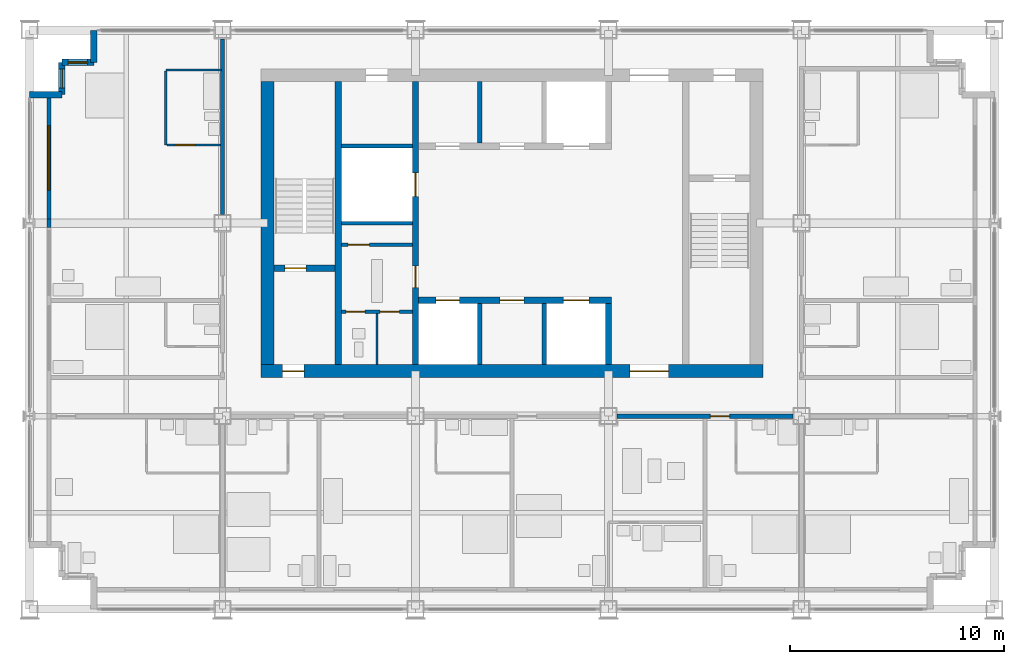
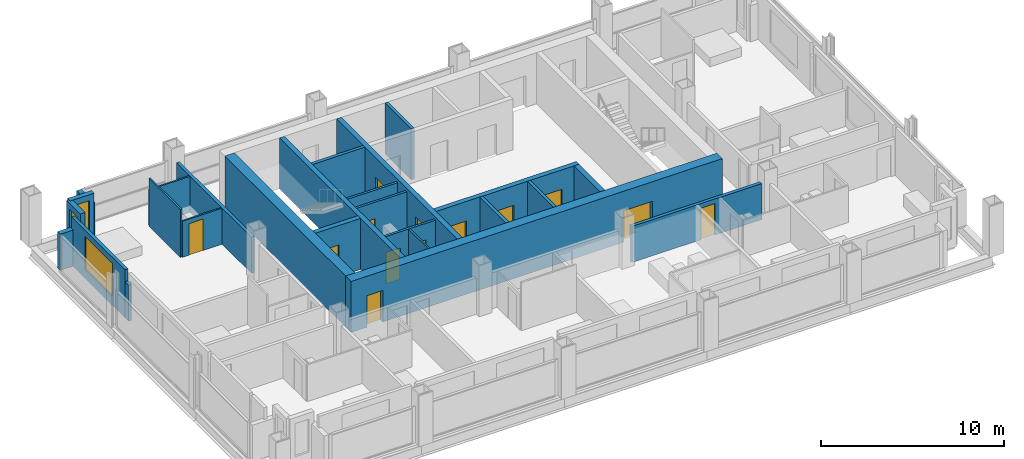
# One storey, part 8 of 13: 26 walls, 13 doors, 3 windows, 16 openings.
"""IFC4 building model written with IfcOpenShell, lengths in metres."""

from ifc_helpers import new_model, si_unit, direction, frame, frame_2d, origin, place, context, subcontext, project, spatial, rectangle, extrude, material, layer, layer_set, type_object, element, fill, save


model = new_model("IFC4")

# Units and contexts
model_context = context("Model", 3, precision=1e-05, world=origin(), true_north=direction((0.0, 1.0)))
body_context = subcontext(model_context, "Body", "Model", "MODEL_VIEW")
ifc_project = project(units=[si_unit("LENGTHUNIT", "METRE"), si_unit("AREAUNIT", "SQUARE_METRE"), si_unit("VOLUMEUNIT", "CUBIC_METRE"), si_unit("PLANEANGLEUNIT", "RADIAN"), si_unit("MASSUNIT", "GRAM", prefix="KILO")], contexts=[model_context])

# Site, building, storey
site_placement = place(None, origin())
site = spatial("IfcSite", under=ifc_project, at=site_placement, CompositionType="ELEMENT")
building_placement = place(site_placement, origin())
building = spatial("IfcBuilding", under=site, at=building_placement, Name="Loomwork Tower", CompositionType="ELEMENT")
storey_placement = place(building_placement, frame((0.0, 0.0, 208.0)))
storey = spatial("IfcBuildingStorey", under=building, at=storey_placement, Name="L57", CompositionType="ELEMENT", Elevation=208.0)

# Wall
ifc_material_1 = material(Name="Concrete 14000 psi (97 MPa)", Category="concrete")
ifc_layer_1 = layer(ifc_material_1, 0.300048828125)
ifc_layer_set_1 = layer_set([ifc_layer_1], Name="Core shear wall 300")
wall_type_1 = type_object("IfcWallType", Name="Core shear wall 300", PredefinedType="SHEAR", material=ifc_layer_set_1)
wall_1_placement = place(storey_placement, frame((14.39990234375, 11.39990234375, 0.0), z_axis=(0.0, 0.0, 1.0), x_axis=(0.0, 1.0, 0.0)))
element("IfcWall", 1, at=wall_1_placement, inside=storey, type_object=wall_type_1, Name="Stair A east wall L57", PredefinedType="SHEAR", context=body_context, shape_type="SweptSolid", body=[
    extrude(rectangle(XDim=13.2001953125, YDim=0.300048828125, at=frame_2d((6.60009765625, 0.0))), origin(), (0.0, 0.0, 1.0), 3.39990234375),
])

# Wall, opening, door
wall_2_placement = place(storey_placement, frame((11.39990234375, 15.89990234375, 0.0), z_axis=(0.0, 0.0, 1.0), x_axis=(1.0, 0.0, 0.0)))
wall_2 = element("IfcWall", 2, at=wall_2_placement, inside=storey, type_object=wall_type_1, Name="Stair A south wall L57", PredefinedType="SHEAR", context=body_context, shape_type="SweptSolid", body=[
    extrude(rectangle(XDim=2.85009765625, YDim=0.300048828125, at=frame_2d((1.425048828125, 0.0))), origin(), (0.0, 0.0, 1.0), 3.39990234375),
])
opening_1_placement = place(wall_2_placement, frame((0.5, 0.0, 0.0)))
opening_1 = element("IfcOpeningElement", 3, at=opening_1_placement, cuts=wall_2, Name="Opening D4", PredefinedType="OPENING", context=body_context, shape_type="SweptSolid", body=[
    extrude(rectangle(XDim=1.0, YDim=2.10009765625, at=frame_2d((0.5, 1.050048828125))), frame((0.0, 0.159912109375, 0.0), z_axis=(0.0, -1.0, 0.0), x_axis=(1.0, 0.0, 0.0)), (0.0, 0.0, 1.0), 0.320068359375),
])
ifc_material_2 = material(Name="Hollow metal door and frame")
door_type_1 = type_object("IfcDoorType", Name="Stair door 1000", OperationType="SINGLE_SWING_RIGHT", PredefinedType="DOOR", material=ifc_material_2)
door_1_placement = place(opening_1_placement, origin())
door_1 = element("IfcDoor", 4, at=door_1_placement, inside=storey, type_object=door_type_1, Name="Stair A door", OperationType="SINGLE_SWING_LEFT", OverallHeight=2.10009765625, OverallWidth=1.0, PredefinedType="DOOR", context=body_context, shape_type="SweptSolid", body=[
    extrude(rectangle(XDim=1.0, YDim=2.10009765625, at=frame_2d((0.5, 1.050048828125))), frame((0.0, 0.02490234375, 0.0), z_axis=(0.0, -1.0, 0.0), x_axis=(1.0, 0.0, 0.0)), (0.0, 0.0, 1.0), 0.050048828125),
])
fill(opening_1, door_1)

# Wall, openings, doors
wall_3_placement = place(storey_placement, frame((18.0, 11.39990234375, 0.0), z_axis=(0.0, 0.0, 1.0), x_axis=(0.0, 1.0, 0.0)))
wall_3 = element("IfcWall", 5, at=wall_3_placement, inside=storey, type_object=wall_type_1, Name="Lobby west wall L57", PredefinedType="SHEAR", context=body_context, shape_type="SweptSolid", body=[
    extrude(rectangle(XDim=13.2001953125, YDim=0.300048828125, at=frame_2d((6.60009765625, 0.0))), origin(), (0.0, 0.0, 1.0), 3.39990234375),
])
opening_2_placement = place(wall_3_placement, frame((3.60009765625, 0.0, 0.0)))
opening_2 = element("IfcOpeningElement", 6, at=opening_2_placement, cuts=wall_3, Name="Opening D5", PredefinedType="OPENING", context=body_context, shape_type="SweptSolid", body=[
    extrude(rectangle(XDim=1.0, YDim=2.10009765625, at=frame_2d((0.5, 1.050048828125))), frame((0.0, 0.159912109375, 0.0), z_axis=(0.0, -1.0, 0.0), x_axis=(1.0, 0.0, 0.0)), (0.0, 0.0, 1.0), 0.320068359375),
])
opening_3_placement = place(wall_3_placement, frame((7.85009765625, 0.0, 0.0)))
opening_3 = element("IfcOpeningElement", 7, at=opening_3_placement, cuts=wall_3, Name="Opening LD1", PredefinedType="OPENING", context=body_context, shape_type="SweptSolid", body=[
    extrude(rectangle(XDim=1.10009765625, YDim=2.10009765625, at=frame_2d((0.550048828125, 1.050048828125))), frame((0.0, 0.159912109375, 0.0), z_axis=(0.0, -1.0, 0.0), x_axis=(1.0, 0.0, 0.0)), (0.0, 0.0, 1.0), 0.320068359375),
])
ifc_material_3 = material(Name="Hollow metal door and frame")
door_type_2 = type_object("IfcDoorType", Name="Lift landing door 1100", OperationType="SLIDING_TO_LEFT", PredefinedType="DOOR", material=ifc_material_3)
door_2_placement = place(opening_3_placement, origin())
door_2 = element("IfcDoor", 8, at=door_2_placement, inside=storey, type_object=door_type_2, Name="Lift landing door LC2", OperationType="SLIDING_TO_LEFT", OverallHeight=2.10009765625, OverallWidth=1.10009765625, PredefinedType="DOOR", context=body_context, shape_type="SweptSolid", body=[
    extrude(rectangle(XDim=1.10009765625, YDim=2.10009765625, at=frame_2d((0.550048828125, 1.050048828125))), frame((0.0, 0.02490234375, 0.0), z_axis=(0.0, -1.0, 0.0), x_axis=(1.0, 0.0, 0.0)), (0.0, 0.0, 1.0), 0.050048828125),
])
fill(opening_3, door_2)
ifc_material_4 = material(Name="Hollow metal door and frame")
door_type_3 = type_object("IfcDoorType", Name="Service door 1000", OperationType="SINGLE_SWING_LEFT", PredefinedType="DOOR", material=ifc_material_4)
door_3_placement = place(opening_2_placement, origin())
door_3 = element("IfcDoor", 9, at=door_3_placement, inside=storey, type_object=door_type_3, Name="Back-of-house door south", OperationType="SINGLE_SWING_LEFT", OverallHeight=2.10009765625, OverallWidth=1.0, PredefinedType="DOOR", context=body_context, shape_type="SweptSolid", body=[
    extrude(rectangle(XDim=1.0, YDim=2.10009765625, at=frame_2d((0.5, 1.050048828125))), frame((0.0, 0.02490234375, 0.0), z_axis=(0.0, -1.0, 0.0), x_axis=(1.0, 0.0, 0.0)), (0.0, 0.0, 1.0), 0.050048828125),
])
fill(opening_2, door_3)

wall_4_placement = place(storey_placement, frame((18.14990234375, 14.39990234375, 0.0), z_axis=(0.0, 0.0, 1.0), x_axis=(1.0, 0.0, 0.0)))
wall_4 = element("IfcWall", 10, at=wall_4_placement, inside=storey, type_object=wall_type_1, Name="Lift front wall south L57", PredefinedType="SHEAR", context=body_context, shape_type="SweptSolid", body=[
    extrude(rectangle(XDim=9.0, YDim=0.300048828125, at=frame_2d((4.5, 0.0))), origin(), (0.0, 0.0, 1.0), 3.39990234375),
])
opening_4_placement = place(wall_4_placement, frame((0.800048828125, 0.0, 0.0)))
opening_4 = element("IfcOpeningElement", 11, at=opening_4_placement, cuts=wall_4, Name="Opening LD1", PredefinedType="OPENING", context=body_context, shape_type="SweptSolid", body=[
    extrude(rectangle(XDim=1.10009765625, YDim=2.10009765625, at=frame_2d((0.550048828125, 1.050048828125))), frame((0.0, 0.159912109375, 0.0), z_axis=(0.0, -1.0, 0.0), x_axis=(1.0, 0.0, 0.0)), (0.0, 0.0, 1.0), 0.320068359375),
])
opening_5_placement = place(wall_4_placement, frame((6.75, 0.0, 0.0)))
opening_5 = element("IfcOpeningElement", 12, at=opening_5_placement, cuts=wall_4, Name="Opening LD2", PredefinedType="OPENING", context=body_context, shape_type="SweptSolid", body=[
    extrude(rectangle(XDim=1.199951171875, YDim=2.10009765625, at=frame_2d((0.60009765625, 1.050048828125))), frame((0.0, 0.159912109375, 0.0), z_axis=(0.0, -1.0, 0.0), x_axis=(1.0, 0.0, 0.0)), (0.0, 0.0, 1.0), 0.320068359375),
])
opening_6_placement = place(wall_4_placement, frame((3.800048828125, 0.0, 0.0)))
opening_6 = element("IfcOpeningElement", 13, at=opening_6_placement, cuts=wall_4, Name="Opening D17", PredefinedType="OPENING", context=body_context, shape_type="SweptSolid", body=[
    extrude(rectangle(XDim=1.10009765625, YDim=2.10009765625, at=frame_2d((0.550048828125, 1.050048828125))), frame((0.0, 0.159912109375, 0.0), z_axis=(0.0, -1.0, 0.0), x_axis=(1.0, 0.0, 0.0)), (0.0, 0.0, 1.0), 0.320068359375),
])
door_4_placement = place(opening_4_placement, origin())
door_4 = element("IfcDoor", 14, at=door_4_placement, inside=storey, type_object=door_type_2, Name="Lift landing door LC1", OperationType="SLIDING_TO_LEFT", OverallHeight=2.10009765625, OverallWidth=1.10009765625, PredefinedType="DOOR", context=body_context, shape_type="SweptSolid", body=[
    extrude(rectangle(XDim=1.10009765625, YDim=2.10009765625, at=frame_2d((0.550048828125, 1.050048828125))), frame((0.0, 0.02490234375, 0.0), z_axis=(0.0, -1.0, 0.0), x_axis=(1.0, 0.0, 0.0)), (0.0, 0.0, 1.0), 0.050048828125),
])
fill(opening_4, door_4)
ifc_material_5 = material(Name="Hollow metal door and frame")
door_type_4 = type_object("IfcDoorType", Name="Lift landing door 1200", OperationType="SLIDING_TO_LEFT", PredefinedType="DOOR", material=ifc_material_5)
door_5_placement = place(opening_5_placement, origin())
door_5 = element("IfcDoor", 15, at=door_5_placement, inside=storey, type_object=door_type_4, Name="Lift landing door LF1", OperationType="SLIDING_TO_LEFT", OverallHeight=2.10009765625, OverallWidth=1.199951171875, PredefinedType="DOOR", context=body_context, shape_type="SweptSolid", body=[
    extrude(rectangle(XDim=1.199951171875, YDim=2.10009765625, at=frame_2d((0.60009765625, 1.050048828125))), frame((0.0, 0.02490234375, 0.0), z_axis=(0.0, -1.0, 0.0), x_axis=(1.0, 0.0, 0.0)), (0.0, 0.0, 1.0), 0.050048828125),
])
fill(opening_5, door_5)
ifc_material_6 = material(Name="Hollow metal door and frame")
door_type_5 = type_object("IfcDoorType", Name="Service room door 1100", OperationType="SINGLE_SWING_LEFT", PredefinedType="DOOR", material=ifc_material_6)
door_6_placement = place(opening_6_placement, frame((1.10009765625, 0.0, 0.0), z_axis=(0.0, 0.0, 1.0), x_axis=(-1.0, 0.0, 0.0)))
door_6 = element("IfcDoor", 16, at=door_6_placement, inside=storey, type_object=door_type_5, Name="Storage room door L57", OperationType="SINGLE_SWING_RIGHT", OverallHeight=2.10009765625, OverallWidth=1.10009765625, PredefinedType="DOOR", context=body_context, shape_type="SweptSolid", body=[
    extrude(rectangle(XDim=1.10009765625, YDim=2.10009765625, at=frame_2d((0.550048828125, 1.050048828125))), frame((0.0, 0.02490234375, 0.0), z_axis=(0.0, -1.0, 0.0), x_axis=(1.0, 0.0, 0.0)), (0.0, 0.0, 1.0), 0.050048828125),
])
fill(opening_6, door_6)

# Wall
wall_5_placement = place(storey_placement, frame((27.0, 11.39990234375, 0.0), z_axis=(0.0, 0.0, 1.0), x_axis=(0.0, 1.0, 0.0)))
element("IfcWall", 17, at=wall_5_placement, inside=storey, type_object=wall_type_1, Name="Lift shaft end wall south L57", PredefinedType="SHEAR", context=body_context, shape_type="SweptSolid", body=[
    extrude(rectangle(XDim=2.85009765625, YDim=0.300048828125, at=frame_2d((1.425048828125, 0.0))), origin(), (0.0, 0.0, 1.0), 3.39990234375),
])

# Wall, openings, doors
ifc_material_7 = material(Name="Concrete 14000 psi (97 MPa)", Category="concrete")
ifc_layer_2 = layer(ifc_material_7, 0.60009765625)
ifc_layer_set_2 = layer_set([ifc_layer_2], Name="Core shear wall 600")
wall_type_2 = type_object("IfcWallType", Name="Core shear wall 600", PredefinedType="SHEAR", material=ifc_layer_set_2)
wall_6_placement = place(storey_placement, frame((10.800048828125, 11.10009765625, 0.0), z_axis=(0.0, 0.0, 1.0), x_axis=(1.0, 0.0, 0.0)))
wall_6 = element("IfcWall", 18, at=wall_6_placement, inside=storey, type_object=wall_type_2, Name="Core wall south L57", PredefinedType="SHEAR", context=body_context, shape_type="SweptSolid", body=[
    extrude(rectangle(XDim=23.39990234375, YDim=0.60009765625, at=frame_2d((11.699951171875, 0.0))), origin(), (0.0, 0.0, 1.0), 3.39990234375),
])
opening_7_placement = place(wall_6_placement, frame((1.0, 0.0, 0.0)))
opening_7 = element("IfcOpeningElement", 19, at=opening_7_placement, cuts=wall_6, Name="Opening D4", PredefinedType="OPENING", context=body_context, shape_type="SweptSolid", body=[
    extrude(rectangle(XDim=1.0, YDim=2.10009765625, at=frame_2d((0.5, 1.050048828125))), frame((0.0, 0.31005859375, 0.0), z_axis=(0.0, -1.0, 0.0), x_axis=(1.0, 0.0, 0.0)), (0.0, 0.0, 1.0), 0.6201171875),
])
opening_8_placement = place(wall_6_placement, frame((17.199951171875, 0.0, 0.0)))
opening_8 = element("IfcOpeningElement", 20, at=opening_8_placement, cuts=wall_6, Name="Opening D6", PredefinedType="OPENING", context=body_context, shape_type="SweptSolid", body=[
    extrude(rectangle(XDim=1.800048828125, YDim=2.10009765625, at=frame_2d((0.89990234375, 1.050048828125))), frame((0.0, 0.31005859375, 0.0), z_axis=(0.0, -1.0, 0.0), x_axis=(1.0, 0.0, 0.0)), (0.0, 0.0, 1.0), 0.6201171875),
])
ifc_material_8 = material(Name="Hollow metal door and frame")
door_type_6 = type_object("IfcDoorType", Name="Lobby passage double door 1800", OperationType="DOUBLE_DOOR_SINGLE_SWING", PredefinedType="DOOR", material=ifc_material_8)
door_7_placement = place(opening_8_placement, origin())
door_7 = element("IfcDoor", 21, at=door_7_placement, inside=storey, type_object=door_type_6, Name="Lobby passage door south", OperationType="DOUBLE_DOOR_SINGLE_SWING", OverallHeight=2.10009765625, OverallWidth=1.800048828125, PredefinedType="DOOR", context=body_context, shape_type="SweptSolid", body=[
    extrude(rectangle(XDim=1.800048828125, YDim=2.10009765625, at=frame_2d((0.89990234375, 1.050048828125))), frame((0.0, 0.02490234375, 0.0), z_axis=(0.0, -1.0, 0.0), x_axis=(1.0, 0.0, 0.0)), (0.0, 0.0, 1.0), 0.050048828125),
])
fill(opening_8, door_7)
door_8_placement = place(opening_7_placement, origin())
door_8 = element("IfcDoor", 22, at=door_8_placement, inside=storey, type_object=door_type_1, Name="Stair A vestibule door", OperationType="SINGLE_SWING_LEFT", OverallHeight=2.10009765625, OverallWidth=1.0, PredefinedType="DOOR", context=body_context, shape_type="SweptSolid", body=[
    extrude(rectangle(XDim=1.0, YDim=2.10009765625, at=frame_2d((0.5, 1.050048828125))), frame((0.0, 0.02490234375, 0.0), z_axis=(0.0, -1.0, 0.0), x_axis=(1.0, 0.0, 0.0)), (0.0, 0.0, 1.0), 0.050048828125),
])
fill(opening_7, door_8)

# Wall
wall_7_placement = place(storey_placement, frame((11.10009765625, 11.39990234375, 0.0), z_axis=(0.0, 0.0, 1.0), x_axis=(0.0, 1.0, 0.0)))
element("IfcWall", 23, at=wall_7_placement, inside=storey, type_object=wall_type_2, Name="Core wall west L57", PredefinedType="SHEAR", context=body_context, shape_type="SweptSolid", body=[
    extrude(rectangle(XDim=13.2001953125, YDim=0.60009765625, at=frame_2d((6.60009765625, 0.0))), origin(), (0.0, 0.0, 1.0), 3.39990234375),
])

# Wall, opening, door
ifc_material_9 = material(Name="Gypsum board on steel studs, one-hour", Category="steel")
ifc_layer_3 = layer(ifc_material_9, 0.199951171875)
ifc_layer_set_3 = layer_set([ifc_layer_3], Name="Corridor wall 200")
wall_type_3 = type_object("IfcWallType", Name="Corridor wall 200", PredefinedType="PARTITIONING", material=ifc_layer_set_3)
wall_8_placement = place(storey_placement, frame((27.39990234375, 9.0, 0.0), z_axis=(0.0, 0.0, 1.0), x_axis=(1.0, 0.0, 0.0)))
wall_8 = element("IfcWall", 24, at=wall_8_placement, inside=storey, type_object=wall_type_3, Name="South corridor wall 4", PredefinedType="PARTITIONING", context=body_context, shape_type="SweptSolid", body=[
    extrude(rectangle(XDim=8.2001953125, YDim=0.199951171875, at=frame_2d((4.10009765625, 0.0))), origin(), (0.0, 0.0, 1.0), 2.405029296875),
])
opening_9_placement = place(wall_8_placement, frame((4.35009765625, 0.0, 0.0)))
opening_9 = element("IfcOpeningElement", 25, at=opening_9_placement, cuts=wall_8, Name="Opening D1", PredefinedType="OPENING", context=body_context, shape_type="SweptSolid", body=[
    extrude(rectangle(XDim=0.89990234375, YDim=2.10009765625, at=frame_2d((0.449951171875, 1.050048828125))), frame((0.0, 0.10986328125, 0.0), z_axis=(0.0, -1.0, 0.0), x_axis=(1.0, 0.0, 0.0)), (0.0, 0.0, 1.0), 0.219970703125),
])
ifc_material_10 = material(Name="Hollow metal door and frame")
door_type_7 = type_object("IfcDoorType", Name="Guest room entry door 900", OperationType="SINGLE_SWING_LEFT", PredefinedType="DOOR", material=ifc_material_10)
door_9_placement = place(opening_9_placement, frame((0.89990234375, 0.0, 0.0), z_axis=(0.0, 0.0, 1.0), x_axis=(-1.0, 0.0, 0.0)))
door_9 = element("IfcDoor", 26, at=door_9_placement, inside=storey, type_object=door_type_7, Name="Guest room entry door L57 5", OperationType="SINGLE_SWING_RIGHT", OverallHeight=2.10009765625, OverallWidth=0.89990234375, PredefinedType="DOOR", context=body_context, shape_type="SweptSolid", body=[
    extrude(rectangle(XDim=0.89990234375, YDim=2.10009765625, at=frame_2d((0.449951171875, 1.050048828125))), frame((0.0, 0.02490234375, 0.0), z_axis=(0.0, -1.0, 0.0), x_axis=(1.0, 0.0, 0.0)), (0.0, 0.0, 1.0), 0.050048828125),
])
fill(opening_9, door_9)

# Walls
wall_9_placement = place(storey_placement, frame((9.0, 18.39990234375, 0.0), z_axis=(0.0, 0.0, 1.0), x_axis=(0.0, 1.0, 0.0)))
element("IfcWall", 27, at=wall_9_placement, inside=storey, type_object=wall_type_3, Name="West corridor wall 2", PredefinedType="PARTITIONING", context=body_context, shape_type="SweptSolid", body=[
    extrude(rectangle(XDim=8.2001953125, YDim=0.199951171875, at=frame_2d((4.10009765625, 0.0))), origin(), (0.0, 0.0, 1.0), 2.405029296875),
])
ifc_material_11 = material(Name="Cement board on steel studs", Category="steel")
ifc_layer_4 = layer(ifc_material_11, 0.10009765625)
ifc_layer_set_4 = layer_set([ifc_layer_4], Name="En-suite partition 100")
wall_type_4 = type_object("IfcWallType", Name="En-suite partition 100", PredefinedType="PARTITIONING", material=ifc_layer_set_4)
wall_10_placement = place(storey_placement, frame((6.35009765625, 21.64990234375, 0.0), z_axis=(0.0, 0.0, 1.0), x_axis=(0.0, 1.0, 0.0)))
element("IfcWall", 28, at=wall_10_placement, inside=storey, type_object=wall_type_4, Name="En-suite wall L57 room 8", PredefinedType="PARTITIONING", context=body_context, shape_type="SweptSolid", body=[
    extrude(rectangle(XDim=3.4501953125, YDim=0.10009765625, at=frame_2d((1.72509765625, 0.0))), origin(), (0.0, 0.0, 1.0), 3.199951171875),
])

# Wall, opening, door
wall_11_placement = place(storey_placement, frame((8.89990234375, 21.64990234375, 0.0), z_axis=(0.0, 0.0, 1.0), x_axis=(-1.0, 0.0, 0.0)))
wall_11 = element("IfcWall", 29, at=wall_11_placement, inside=storey, type_object=wall_type_4, Name="En-suite side wall L57 room 8", PredefinedType="PARTITIONING", context=body_context, shape_type="SweptSolid", body=[
    extrude(rectangle(XDim=2.5, YDim=0.10009765625, at=frame_2d((1.25, 0.0))), origin(), (0.0, 0.0, 1.0), 2.404052734375),
])
opening_10_placement = place(wall_11_placement, frame((1.199951171875, 0.0, 0.0)))
opening_10 = element("IfcOpeningElement", 30, at=opening_10_placement, cuts=wall_11, Name="Opening D2", PredefinedType="OPENING", context=body_context, shape_type="SweptSolid", body=[
    extrude(rectangle(XDim=0.89990234375, YDim=2.10009765625, at=frame_2d((0.449951171875, 1.050048828125))), frame((0.0, 0.06005859375, 0.0), z_axis=(0.0, -1.0, 0.0), x_axis=(1.0, 0.0, 0.0)), (0.0, 0.0, 1.0), 0.1201171875),
])
ifc_material_12 = material(Name="Hollow metal door and frame")
door_type_8 = type_object("IfcDoorType", Name="En-suite door 900", OperationType="SINGLE_SWING_LEFT", PredefinedType="DOOR", material=ifc_material_12)
door_10_placement = place(opening_10_placement, frame((0.89990234375, 0.0, 0.0), z_axis=(0.0, 0.0, 1.0), x_axis=(-1.0, 0.0, 0.0)))
door_10 = element("IfcDoor", 31, at=door_10_placement, inside=storey, type_object=door_type_8, Name="En-suite door room 8", OperationType="SINGLE_SWING_LEFT", OverallHeight=2.10009765625, OverallWidth=0.89990234375, PredefinedType="DOOR", context=body_context, shape_type="SweptSolid", body=[
    extrude(rectangle(XDim=0.89990234375, YDim=2.10009765625, at=frame_2d((0.449951171875, 1.050048828125))), frame((0.0, 0.02490234375, 0.0), z_axis=(0.0, -1.0, 0.0), x_axis=(1.0, 0.0, 0.0)), (0.0, 0.0, 1.0), 0.050048828125),
])
fill(opening_10, door_10)

# Walls
wall_12_placement = place(storey_placement, frame((6.35009765625, 25.14990234375, 0.0), z_axis=(0.0, 0.0, 1.0), x_axis=(1.0, 0.0, 0.0)))
element("IfcWall", 32, at=wall_12_placement, inside=storey, type_object=wall_type_4, Name="En-suite wall L57 stub", PredefinedType="PARTITIONING", context=body_context, shape_type="SweptSolid", body=[
    extrude(rectangle(XDim=2.599853515625, YDim=0.10009765625, at=frame_2d((1.2998046875, 0.0))), origin(), (0.0, 0.0, 1.0), 2.404052734375),
])
wall_13_placement = place(storey_placement, frame((16.199951171875, 11.39990234375, 0.0), z_axis=(0.0, 0.0, 1.0), x_axis=(0.0, 1.0, 0.0)))
element("IfcWall", 33, at=wall_13_placement, inside=storey, type_object=wall_type_4, Name="Back-of-house partition L57 2", PredefinedType="PARTITIONING", context=body_context, shape_type="SweptSolid", body=[
    extrude(rectangle(XDim=2.400146484375, YDim=0.10009765625, at=frame_2d((1.2001953125, 0.0))), origin(), (0.0, 0.0, 1.0), 3.199951171875),
])
ifc_material_13 = material(Name="Insulated steel stud wall with gypsum lining", Category="steel")
ifc_layer_5 = layer(ifc_material_13, 0.199951171875)
ifc_layer_set_5 = layer_set([ifc_layer_5], Name="Inner skin wall 200")
wall_type_5 = type_object("IfcWallType", Name="Inner skin wall 200", PredefinedType="SOLIDWALL", material=ifc_layer_set_5)
wall_14_placement = place(storey_placement, frame((0.89990234375, 17.80615234375, 0.0), z_axis=(0.0, 0.0, 1.0), x_axis=(0.0, 1.0, 0.0)))
element("IfcWall", 34, at=wall_14_placement, inside=storey, type_object=wall_type_5, Name="Inner skin wall W bay 6", PredefinedType="SOLIDWALL", context=body_context, shape_type="SweptSolid", body=[
    extrude(rectangle(XDim=0.3876953125, YDim=0.199951171875, at=frame_2d((0.19384765625, 0.0))), origin(), (0.0, 0.0, 1.0), 2.404052734375),
])

# Wall, opening, window
wall_15_placement = place(storey_placement, frame((0.89990234375, 18.19384765625, 0.0), z_axis=(0.0, 0.0, 1.0), x_axis=(0.0, 1.0, 0.0)))
wall_15 = element("IfcWall", 35, at=wall_15_placement, inside=storey, type_object=wall_type_5, Name="Inner skin wall W bay 7", PredefinedType="SOLIDWALL", context=body_context, shape_type="SweptSolid", body=[
    extrude(rectangle(XDim=5.80615234375, YDim=0.199951171875, at=frame_2d((2.903076171875, 0.0))), origin(), (0.0, 0.0, 1.0), 3.199951171875),
])
opening_11_placement = place(wall_15_placement, frame((1.356201171875, 0.0, 0.60009765625)))
opening_11 = element("IfcOpeningElement", 36, at=opening_11_placement, cuts=wall_15, Name="Opening CH1", PredefinedType="OPENING", context=body_context, shape_type="SweptSolid", body=[
    extrude(rectangle(XDim=3.0, YDim=2.199951171875, at=frame_2d((1.5, 1.10009765625))), frame((0.0, 0.10986328125, 0.0), z_axis=(0.0, -1.0, 0.0), x_axis=(1.0, 0.0, 0.0)), (0.0, 0.0, 1.0), 0.219970703125),
])
ifc_material_14 = material(Name="Aluminium frame with clear insulated glass", Category="aluminium")
window_type_1 = type_object("IfcWindowType", Name="Chicago window 3000", PartitioningType="TRIPLE_PANEL_VERTICAL", PredefinedType="WINDOW", material=ifc_material_14)
window_1_placement = place(opening_11_placement, origin())
window_1 = element("IfcWindow", 37, at=window_1_placement, inside=storey, type_object=window_type_1, Name="Chicago window L57 bay 7", OverallHeight=2.199951171875, OverallWidth=3.0, PartitioningType="TRIPLE_PANEL_VERTICAL", PredefinedType="WINDOW", context=body_context, shape_type="SweptSolid", body=[
    extrude(rectangle(XDim=3.0, YDim=2.199951171875, at=frame_2d((1.5, 1.10009765625))), frame((0.0, 0.030029296875, 0.0), z_axis=(0.0, -1.0, 0.0), x_axis=(1.0, 0.0, 0.0)), (0.0, 0.0, 1.0), 0.06005859375),
])
fill(opening_11, window_1)

# Walls
ifc_material_15 = material(Name="Concrete 14000 psi (97 MPa)", Category="concrete")
ifc_layer_6 = layer(ifc_material_15, 0.199951171875)
ifc_layer_set_6 = layer_set([ifc_layer_6], Name="Lift shaft wall 200")
wall_type_6 = type_object("IfcWallType", Name="Lift shaft wall 200", PredefinedType="SHEAR", material=ifc_layer_set_6)
for number, where, z_axis, x_axis, name in (
    (38, (21.0, 11.39990234375, 0.0), (0.0, 0.0, 1.0), (0.0, 1.0, 0.0), "Lift shaft separation wall south 1 L57"),
    (39, (24.0, 11.39990234375, 0.0), (0.0, 0.0, 1.0), (0.0, 1.0, 0.0), "Lift shaft separation wall south 2 L57"),
    (40, (21.0, 21.75, 0.0), (0.0, 0.0, 1.0), (0.0, 1.0, 0.0), "Lift shaft separation wall north 1 L57"),
):
    element("IfcWall", number, at=place(storey_placement, frame(where, z_axis=z_axis, x_axis=x_axis)), inside=storey, type_object=wall_type_6, Name=name, PredefinedType="SHEAR", context=body_context, shape_type="SweptSolid", body=[
        extrude(rectangle(XDim=2.85009765625, YDim=0.199951171875, at=frame_2d((1.425048828125, 0.0))), origin(), (0.0, 0.0, 1.0), 3.39990234375),
    ])
wall_16_placement = place(storey_placement, frame((14.550048828125, 21.60009765625, 0.0), z_axis=(0.0, 0.0, 1.0), x_axis=(1.0, 0.0, 0.0)))
element("IfcWall", 41, at=wall_16_placement, inside=storey, type_object=wall_type_6, Name="Lift shaft wall west north L57", PredefinedType="SHEAR", context=body_context, shape_type="SweptSolid", body=[
    extrude(rectangle(XDim=3.300048828125, YDim=0.199951171875, at=frame_2d((1.64990234375, 0.0))), origin(), (0.0, 0.0, 1.0), 3.39990234375),
])
ifc_material_16 = material(Name="Limestone on concrete masonry", Category="masonry")
ifc_layer_7 = layer(ifc_material_16, 0.300048828125)
ifc_layer_set_7 = layer_set([ifc_layer_7], Name="Limestone corner wall 300")
wall_type_7 = type_object("IfcWallType", Name="Limestone corner wall 300", PredefinedType="SOLIDWALL", material=ifc_layer_set_7)
wall_17_placement = place(storey_placement, frame((3.0, 27.0, 0.0), z_axis=(0.0, 0.0, 1.0), x_axis=(0.0, -1.0, 0.0)))
element("IfcWall", 42, at=wall_17_placement, inside=storey, type_object=wall_type_7, Name="Stone corner wall NW 1", PredefinedType="SOLIDWALL", context=body_context, shape_type="SweptSolid", body=[
    extrude(rectangle(XDim=1.5, YDim=0.300048828125, at=frame_2d((0.75, 0.0))), origin(), (0.0, 0.0, 1.0), 2.419921875),
])

# Wall, opening, window
wall_18_placement = place(storey_placement, frame((3.0, 25.5, 0.0), z_axis=(0.0, 0.0, 1.0), x_axis=(-1.0, 0.0, 0.0)))
wall_18 = element("IfcWall", 43, at=wall_18_placement, inside=storey, type_object=wall_type_7, Name="Stone corner wall NW 2", PredefinedType="SOLIDWALL", context=body_context, shape_type="SweptSolid", body=[
    extrude(rectangle(XDim=1.5, YDim=0.300048828125, at=frame_2d((0.75, 0.0))), origin(), (0.0, 0.0, 1.0), 3.199951171875),
])
opening_12_placement = place(wall_18_placement, frame((0.300048828125, 0.0, 0.60009765625)))
opening_12 = element("IfcOpeningElement", 44, at=opening_12_placement, cuts=wall_18, Name="Opening CH2", PredefinedType="OPENING", context=body_context, shape_type="SweptSolid", body=[
    extrude(rectangle(XDim=0.89990234375, YDim=2.199951171875, at=frame_2d((0.449951171875, 1.10009765625))), frame((0.0, 0.159912109375, 0.0), z_axis=(0.0, -1.0, 0.0), x_axis=(1.0, 0.0, 0.0)), (0.0, 0.0, 1.0), 0.320068359375),
])
ifc_material_17 = material(Name="Aluminium frame with clear insulated glass", Category="aluminium")
window_type_2 = type_object("IfcWindowType", Name="Corner window 900", PartitioningType="SINGLE_PANEL", PredefinedType="WINDOW", material=ifc_material_17)
window_2_placement = place(opening_12_placement, origin())
window_2 = element("IfcWindow", 45, at=window_2_placement, inside=storey, type_object=window_type_2, Name="Corner window NW", OverallHeight=2.199951171875, OverallWidth=0.89990234375, PartitioningType="SINGLE_PANEL", PredefinedType="WINDOW", context=body_context, shape_type="SweptSolid", body=[
    extrude(rectangle(XDim=0.89990234375, YDim=2.199951171875, at=frame_2d((0.449951171875, 1.10009765625))), frame((0.0, 0.030029296875, 0.0), z_axis=(0.0, -1.0, 0.0), x_axis=(1.0, 0.0, 0.0)), (0.0, 0.0, 1.0), 0.06005859375),
])
fill(opening_12, window_2)

wall_19_placement = place(storey_placement, frame((1.5, 25.5, 0.0), z_axis=(0.0, 0.0, 1.0), x_axis=(0.0, -1.0, 0.0)))
wall_19 = element("IfcWall", 46, at=wall_19_placement, inside=storey, type_object=wall_type_7, Name="Stone corner wall NW 3", PredefinedType="SOLIDWALL", context=body_context, shape_type="SweptSolid", body=[
    extrude(rectangle(XDim=1.5, YDim=0.300048828125, at=frame_2d((0.75, 0.0))), origin(), (0.0, 0.0, 1.0), 3.199951171875),
])
opening_13_placement = place(wall_19_placement, frame((0.300048828125, 0.0, 0.60009765625)))
opening_13 = element("IfcOpeningElement", 47, at=opening_13_placement, cuts=wall_19, Name="Opening CH2", PredefinedType="OPENING", context=body_context, shape_type="SweptSolid", body=[
    extrude(rectangle(XDim=0.89990234375, YDim=2.199951171875, at=frame_2d((0.449951171875, 1.10009765625))), frame((0.0, 0.159912109375, 0.0), z_axis=(0.0, -1.0, 0.0), x_axis=(1.0, 0.0, 0.0)), (0.0, 0.0, 1.0), 0.320068359375),
])
window_3_placement = place(opening_13_placement, origin())
window_3 = element("IfcWindow", 48, at=window_3_placement, inside=storey, type_object=window_type_2, Name="Corner window NW", OverallHeight=2.199951171875, OverallWidth=0.89990234375, PartitioningType="SINGLE_PANEL", PredefinedType="WINDOW", context=body_context, shape_type="SweptSolid", body=[
    extrude(rectangle(XDim=0.89990234375, YDim=2.199951171875, at=frame_2d((0.449951171875, 1.10009765625))), frame((0.0, 0.030029296875, 0.0), z_axis=(0.0, -1.0, 0.0), x_axis=(1.0, 0.0, 0.0)), (0.0, 0.0, 1.0), 0.06005859375),
])
fill(opening_13, window_3)

# Walls
wall_20_placement = place(storey_placement, frame((1.5, 24.0, 0.0), z_axis=(0.0, 0.0, 1.0), x_axis=(-1.0, 0.0, 0.0)))
element("IfcWall", 49, at=wall_20_placement, inside=storey, type_object=wall_type_7, Name="Stone corner wall NW 4", PredefinedType="SOLIDWALL", context=body_context, shape_type="SweptSolid", body=[
    extrude(rectangle(XDim=1.5, YDim=0.300048828125, at=frame_2d((0.75, 0.0))), origin(), (0.0, 0.0, 1.0), 2.419921875),
])
ifc_material_18 = material(Name="Gypsum board on steel studs", Category="steel")
ifc_layer_8 = layer(ifc_material_18, 0.14990234375)
ifc_layer_set_8 = layer_set([ifc_layer_8], Name="Partition 150 two-hour")
wall_type_8 = type_object("IfcWallType", Name="Partition 150 two-hour", PredefinedType="PARTITIONING", material=ifc_layer_set_8)
wall_21_placement = place(storey_placement, frame((14.550048828125, 18.0, 0.0), z_axis=(0.0, 0.0, 1.0), x_axis=(1.0, 0.0, 0.0)))
element("IfcWall", 50, at=wall_21_placement, inside=storey, type_object=wall_type_8, Name="Back-of-house dividing wall L57", PredefinedType="PARTITIONING", context=body_context, shape_type="SweptSolid", body=[
    extrude(rectangle(XDim=3.300048828125, YDim=0.14990234375, at=frame_2d((1.64990234375, 0.0))), origin(), (0.0, 0.0, 1.0), 3.199951171875),
])

# Wall, opening, door
ifc_material_19 = material(Name="Gypsum board on steel studs, one-hour", Category="steel")
ifc_layer_9 = layer(ifc_material_19, 0.14990234375)
ifc_layer_set_9 = layer_set([ifc_layer_9], Name="Service partition 150")
wall_type_9 = type_object("IfcWallType", Name="Service partition 150", PredefinedType="PARTITIONING", material=ifc_layer_set_9)
wall_22_placement = place(storey_placement, frame((14.550048828125, 17.0, 0.0), z_axis=(0.0, 0.0, 1.0), x_axis=(1.0, 0.0, 0.0)))
wall_22 = element("IfcWall", 51, at=wall_22_placement, inside=storey, type_object=wall_type_9, Name="Riser enclosure L57", PredefinedType="PARTITIONING", context=body_context, shape_type="SweptSolid", body=[
    extrude(rectangle(XDim=3.300048828125, YDim=0.14990234375, at=frame_2d((1.64990234375, 0.0))), origin(), (0.0, 0.0, 1.0), 3.199951171875),
])
opening_14_placement = place(wall_22_placement, frame((0.300048828125, 0.0, 0.0)))
opening_14 = element("IfcOpeningElement", 52, at=opening_14_placement, cuts=wall_22, Name="Opening D18", PredefinedType="OPENING", context=body_context, shape_type="SweptSolid", body=[
    extrude(rectangle(XDim=1.0, YDim=2.10009765625, at=frame_2d((0.5, 1.050048828125))), frame((0.0, 0.0849609375, 0.0), z_axis=(0.0, -1.0, 0.0), x_axis=(1.0, 0.0, 0.0)), (0.0, 0.0, 1.0), 0.169921875),
])
ifc_material_20 = material(Name="Hollow metal door and frame")
door_type_9 = type_object("IfcDoorType", Name="Ninety-minute service door 1000", OperationType="SINGLE_SWING_LEFT", PredefinedType="DOOR", material=ifc_material_20)
door_11_placement = place(opening_14_placement, frame((1.0, 0.0, 0.0), z_axis=(0.0, 0.0, 1.0), x_axis=(-1.0, 0.0, 0.0)))
door_11 = element("IfcDoor", 53, at=door_11_placement, inside=storey, type_object=door_type_9, Name="Riser access door", OperationType="SINGLE_SWING_RIGHT", OverallHeight=2.10009765625, OverallWidth=1.0, PredefinedType="DOOR", context=body_context, shape_type="SweptSolid", body=[
    extrude(rectangle(XDim=1.0, YDim=2.10009765625, at=frame_2d((0.5, 1.050048828125))), frame((0.0, 0.02490234375, 0.0), z_axis=(0.0, -1.0, 0.0), x_axis=(1.0, 0.0, 0.0)), (0.0, 0.0, 1.0), 0.050048828125),
])
fill(opening_14, door_11)

# Wall, openings, doors
wall_23_placement = place(storey_placement, frame((14.550048828125, 13.875, 0.0), z_axis=(0.0, 0.0, 1.0), x_axis=(1.0, 0.0, 0.0)))
wall_23 = element("IfcWall", 54, at=wall_23_placement, inside=storey, type_object=wall_type_9, Name="Back-of-house partition L57", PredefinedType="PARTITIONING", context=body_context, shape_type="SweptSolid", body=[
    extrude(rectangle(XDim=3.300048828125, YDim=0.14990234375, at=frame_2d((1.64990234375, 0.0))), origin(), (0.0, 0.0, 1.0), 3.199951171875),
])
opening_15_placement = place(wall_23_placement, frame((0.199951171875, 0.0, 0.0)))
opening_15 = element("IfcOpeningElement", 55, at=opening_15_placement, cuts=wall_23, Name="Opening D20", PredefinedType="OPENING", context=body_context, shape_type="SweptSolid", body=[
    extrude(rectangle(XDim=0.89990234375, YDim=2.10009765625, at=frame_2d((0.449951171875, 1.050048828125))), frame((0.0, 0.0849609375, 0.0), z_axis=(0.0, -1.0, 0.0), x_axis=(1.0, 0.0, 0.0)), (0.0, 0.0, 1.0), 0.169921875),
])
opening_16_placement = place(wall_23_placement, frame((1.800048828125, 0.0, 0.0)))
opening_16 = element("IfcOpeningElement", 56, at=opening_16_placement, cuts=wall_23, Name="Opening D20", PredefinedType="OPENING", context=body_context, shape_type="SweptSolid", body=[
    extrude(rectangle(XDim=0.89990234375, YDim=2.10009765625, at=frame_2d((0.449951171875, 1.050048828125))), frame((0.0, 0.0849609375, 0.0), z_axis=(0.0, -1.0, 0.0), x_axis=(1.0, 0.0, 0.0)), (0.0, 0.0, 1.0), 0.169921875),
])
ifc_material_21 = material(Name="Hollow metal door and frame")
door_type_10 = type_object("IfcDoorType", Name="Back-of-house door 900", OperationType="SINGLE_SWING_LEFT", PredefinedType="DOOR", material=ifc_material_21)
door_12_placement = place(opening_15_placement, frame((0.89990234375, 0.0, 0.0), z_axis=(0.0, 0.0, 1.0), x_axis=(-1.0, 0.0, 0.0)))
door_12 = element("IfcDoor", 57, at=door_12_placement, inside=storey, type_object=door_type_10, Name="Back-of-house room door", OperationType="SINGLE_SWING_RIGHT", OverallHeight=2.10009765625, OverallWidth=0.89990234375, PredefinedType="DOOR", context=body_context, shape_type="SweptSolid", body=[
    extrude(rectangle(XDim=0.89990234375, YDim=2.10009765625, at=frame_2d((0.449951171875, 1.050048828125))), frame((0.0, 0.02490234375, 0.0), z_axis=(0.0, -1.0, 0.0), x_axis=(1.0, 0.0, 0.0)), (0.0, 0.0, 1.0), 0.050048828125),
])
fill(opening_15, door_12)
door_13_placement = place(opening_16_placement, frame((0.89990234375, 0.0, 0.0), z_axis=(0.0, 0.0, 1.0), x_axis=(-1.0, 0.0, 0.0)))
door_13 = element("IfcDoor", 58, at=door_13_placement, inside=storey, type_object=door_type_10, Name="Back-of-house room door", OperationType="SINGLE_SWING_RIGHT", OverallHeight=2.10009765625, OverallWidth=0.89990234375, PredefinedType="DOOR", context=body_context, shape_type="SweptSolid", body=[
    extrude(rectangle(XDim=0.89990234375, YDim=2.10009765625, at=frame_2d((0.449951171875, 1.050048828125))), frame((0.0, 0.02490234375, 0.0), z_axis=(0.0, -1.0, 0.0), x_axis=(1.0, 0.0, 0.0)), (0.0, 0.0, 1.0), 0.050048828125),
])
fill(opening_16, door_13)

save(model, "model.ifc")
